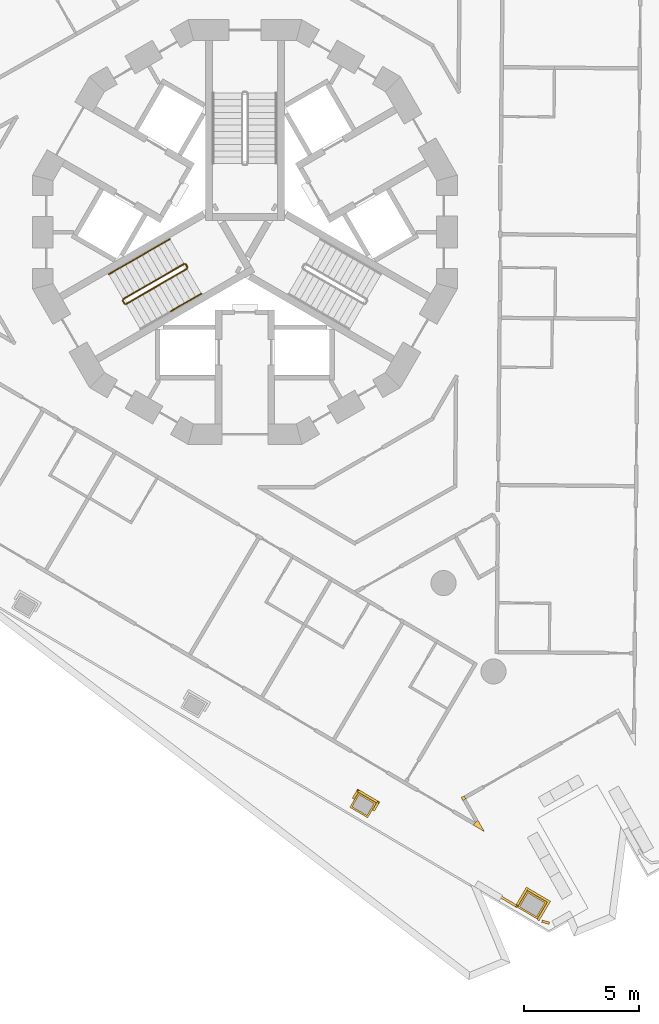
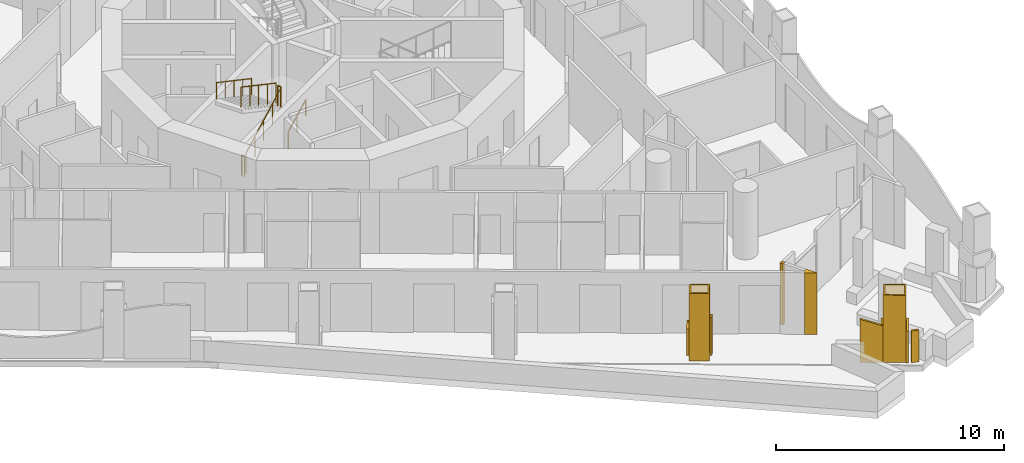
# One storey, part 12 of 18: 10 railings, 4 coverings.
"""IFC4 building model written with IfcOpenShell, lengths in metres."""

from ifc_helpers import new_model, si_unit, direction, frame, origin, origin_2d, place, context, subcontext, project, spatial, polyline, circle, outline, extrude, material, layer, layer_set, type_object, element, save


model = new_model("IFC4")

# Units and contexts
model_context = context("Model", 3, precision=1e-05, world=origin(), true_north=direction((0.0, 1.0)))
body_context = subcontext(model_context, "Body", "Model", "MODEL_VIEW")
ifc_project = project(units=[si_unit("LENGTHUNIT", "METRE"), si_unit("AREAUNIT", "SQUARE_METRE"), si_unit("VOLUMEUNIT", "CUBIC_METRE"), si_unit("PLANEANGLEUNIT", "RADIAN"), si_unit("MASSUNIT", "GRAM", prefix="KILO")], contexts=[model_context])

# Site, building, storey
site_placement = place(None, origin())
site = spatial("IfcSite", under=ifc_project, at=site_placement, CompositionType="ELEMENT")
building_placement = place(site_placement, origin())
building = spatial("IfcBuilding", under=site, at=building_placement, Name="Trine Commons Tower", CompositionType="ELEMENT")
storey_placement = place(building_placement, frame((0.0, 0.0, 161.10009765625)))
storey = spatial("IfcBuildingStorey", under=building, at=storey_placement, Name="L41", CompositionType="ELEMENT", Elevation=161.10009765625)

# Coverings
ifc_material_1 = material(Name="Aluminium-framed insulated wall panel", Category="aluminium")
ifc_layer_1 = layer(ifc_material_1, 0.14990234375)
ifc_layer_set_1 = layer_set([ifc_layer_1], Name="Aluminium-framed insulated wall panel")
covering_type_1 = type_object("IfcCoveringType", Name="Glazing corner post, aluminium", PredefinedType="CLADDING", material=ifc_layer_set_1)
covering_1_placement = place(storey_placement, origin())
element("IfcCovering", 1, at=covering_1_placement, inside=storey, type_object=covering_type_1, Name="Glazing corner post 5-11", PredefinedType="CLADDING", context=body_context, shape_type="SweptSolid", body=[
    extrude(outline(polyline([(89.51416015625, 37.6826171875), (89.644775390625, 37.75634765625), (89.57080078125, 37.886962890625), (89.440185546875, 37.81298828125), (89.51416015625, 37.6826171875)])), origin(), (0.0, 0.0, 1.0), 3.2998046875),
])
covering_2_placement = place(storey_placement, origin())
element("IfcCovering", 2, at=covering_2_placement, inside=storey, type_object=covering_type_1, Name="Glazing corner post 5-12", PredefinedType="CLADDING", context=body_context, shape_type="SweptSolid", body=[
    extrude(outline(polyline([(89.97265625, 36.6083984375), (90.455078125, 36.32421875), (90.179443359375, 36.811279296875), (90.048828125, 36.737548828125), (89.97265625, 36.6083984375)])), origin(), (0.0, 0.0, 1.0), 3.2998046875),
])
ifc_material_2 = material(Name="Limestone, honed", Category="masonry")
ifc_layer_2 = layer(ifc_material_2, 0.074951171875)
ifc_layer_set_2 = layer_set([ifc_layer_2], Name="Limestone, honed")
covering_type_2 = type_object("IfcCoveringType", Name="Limestone column cladding 75", PredefinedType="CLADDING", material=ifc_layer_set_2)
covering_3_placement = place(storey_placement, origin())
element("IfcCovering", 3, at=covering_3_placement, inside=storey, type_object=covering_type_2, Name="Limestone pier cladding 5-01", PredefinedType="CLADDING", context=body_context, shape_type="SweptSolid", body=[
    extrude(outline(polyline([(92.327392578125, 33.753173828125), (91.89599609375, 33.020751953125), (92.757568359375, 32.51318359375), (93.18896484375, 33.24560546875), (92.327392578125, 33.753173828125)]), holes=[polyline([(92.35400390625, 33.650390625), (91.998779296875, 33.047119140625), (92.731201171875, 32.61572265625), (93.086181640625, 33.218994140625), (92.35400390625, 33.650390625)])]), origin(), (0.0, 0.0, 1.0), 3.599853515625),
])
covering_4_placement = place(storey_placement, origin())
element("IfcCovering", 4, at=covering_4_placement, inside=storey, type_object=covering_type_2, Name="Limestone pier cladding 5-02", PredefinedType="CLADDING", context=body_context, shape_type="SweptSolid", body=[
    extrude(outline(polyline([(84.96044921875, 38.03466796875), (84.57958984375, 37.388427734375), (85.355224609375, 36.931640625), (85.73583984375, 37.577880859375), (84.96044921875, 38.03466796875)]), holes=[polyline([(84.987060546875, 37.931884765625), (84.682373046875, 37.414794921875), (85.32861328125, 37.0341796875), (85.63330078125, 37.55126953125), (84.987060546875, 37.931884765625)])]), origin(), (0.0, 0.0, 1.0), 3.599853515625),
])

# Railings
ifc_material_3 = material(Name="Stainless steel balustrade", Category="steel")
railing_type_1 = type_object("IfcRailingType", Name="Stair guard, steel balustrade 1100", PredefinedType="GUARDRAIL", material=ifc_material_3)
railing_1_placement = place(storey_placement, frame((74.80517578125, 59.3564453125, 0.14990234375)))
element("IfcRailing", 5, at=railing_1_placement, inside=storey, type_object=railing_type_1, Name="L41 ST2B stair guard 1", PredefinedType="GUARDRAIL", context=body_context, shape_type="SweptSolid", body=[
    extrude(circle(Radius=0.02392578125, at=origin_2d()), frame((0.0, 0.0, 1.076171875), z_axis=(0.76340495495, 0.440743040072, 0.472184759798), x_axis=(-0.499992328818, 0.866029832698, 0.0)), (0.0, 0.0, 1.0), 3.494140625),
    extrude(circle(Radius=0.02099609375, at=origin_2d()), origin(), (0.0, 0.0, 1.0), 1.052001953125),
    extrude(circle(Radius=0.02099609375, at=origin_2d()), frame((0.6669921875, 0.385009765625, 0.41259765625)), (0.0, 0.0, 1.0), 1.052001953125),
    extrude(circle(Radius=0.02099609375, at=origin_2d()), frame((1.333740234375, 0.77001953125, 0.824951171875)), (0.0, 0.0, 1.0), 1.052001953125),
    extrude(circle(Radius=0.02099609375, at=origin_2d()), frame((2.00048828125, 1.155029296875, 1.2373046875)), (0.0, 0.0, 1.0), 1.052001953125),
    extrude(circle(Radius=0.02099609375, at=origin_2d()), frame((2.66748046875, 1.5400390625, 1.64990234375)), (0.0, 0.0, 1.0), 1.052001953125),
])
railing_2_placement = place(storey_placement, frame((77.490966796875, 60.96484375, 1.7998046875)))
element("IfcRailing", 6, at=railing_2_placement, inside=storey, type_object=railing_type_1, Name="L41 ST2B stair guard 2", PredefinedType="GUARDRAIL", context=body_context, shape_type="SweptSolid", body=[
    extrude(circle(Radius=0.02392578125, at=origin_2d()), frame((0.0, 0.0, 1.076171875), z_axis=(-0.501036270542, 0.865426285481, 0.0), x_axis=(-0.865426285481, -0.501036270542, 0.0)), (0.0, 0.0, 1.0), 0.150146484375),
    extrude(circle(Radius=0.02099609375, at=origin_2d()), origin(), (0.0, 0.0, 1.0), 1.052001953125),
    extrude(circle(Radius=0.02099609375, at=origin_2d()), frame((-0.0751953125, 0.1298828125, 0.0)), (0.0, 0.0, 1.0), 1.052001953125),
])
railing_3_placement = place(storey_placement, frame((77.34765625, 61.113037109375, 1.949951171875)))
element("IfcRailing", 7, at=railing_3_placement, inside=storey, type_object=railing_type_1, Name="L41 ST2B stair guard 3", PredefinedType="GUARDRAIL", context=body_context, shape_type="SweptSolid", body=[
    extrude(circle(Radius=0.02392578125, at=origin_2d()), frame((0.0, 0.0, 1.076171875), z_axis=(-0.76340495495, -0.440743040072, 0.472184759798), x_axis=(0.499992328818, -0.866029832698, 0.0)), (0.0, 0.0, 1.0), 3.494140625),
    extrude(circle(Radius=0.02099609375, at=origin_2d()), origin(), (0.0, 0.0, 1.0), 1.052001953125),
    extrude(circle(Radius=0.02099609375, at=origin_2d()), frame((-0.6669921875, -0.385009765625, 0.41259765625)), (0.0, 0.0, 1.0), 1.052001953125),
    extrude(circle(Radius=0.02099609375, at=origin_2d()), frame((-1.333740234375, -0.77001953125, 0.824951171875)), (0.0, 0.0, 1.0), 1.052001953125),
    extrude(circle(Radius=0.02099609375, at=origin_2d()), frame((-2.00048828125, -1.155029296875, 1.2373046875)), (0.0, 0.0, 1.0), 1.052001953125),
    extrude(circle(Radius=0.02099609375, at=origin_2d()), frame((-2.66748046875, -1.5400390625, 1.64990234375)), (0.0, 0.0, 1.0), 1.052001953125),
])
railing_4_placement = place(storey_placement, frame((74.73681640625, 59.374755859375, 0.0)))
element("IfcRailing", 8, at=railing_4_placement, inside=storey, type_object=railing_type_1, Name="L41 ST2B stair guard 4", PredefinedType="GUARDRAIL", context=body_context, shape_type="SweptSolid", body=[
    extrude(circle(Radius=0.02392578125, at=origin_2d()), frame((0.0, 0.0, 1.076171875), z_axis=(-0.499816412211, 0.866131372301, 0.0), x_axis=(-0.866131372301, -0.499816412211, 0.0)), (0.0, 0.0, 1.0), 0.14990234375),
    extrude(circle(Radius=0.02099609375, at=origin_2d()), origin(), (0.0, 0.0, 1.0), 1.052001953125),
    extrude(circle(Radius=0.02099609375, at=origin_2d()), frame((-0.074951171875, 0.1298828125, 0.0)), (0.0, 0.0, 1.0), 1.052001953125),
])
ifc_material_4 = material(Name="Stainless steel handrail", Category="steel")
railing_type_2 = type_object("IfcRailingType", Name="Stair handrail, steel 900", PredefinedType="HANDRAIL", material=ifc_material_4)
railing_5_placement = place(storey_placement, frame((76.763916015625, 59.0439453125, 0.974853515625)))
element("IfcRailing", 9, at=railing_5_placement, inside=storey, type_object=railing_type_2, Name="L41 ST2B stair handrail 2", PredefinedType="HANDRAIL", context=body_context, shape_type="SweptSolid", body=[
    extrude(circle(Radius=0.02099609375, at=origin_2d()), frame((0.0, 0.0, 0.87890625), z_axis=(0.76340495495, 0.440743040072, 0.472184759798), x_axis=(-0.499992328818, 0.866029832698, 0.0)), (0.0, 0.0, 1.0), 1.7470703125),
    extrude(circle(Radius=0.01513671875, at=origin_2d()), origin(), (0.0, 0.0, 1.0), 0.85791015625),
    extrude(circle(Radius=0.01513671875, at=origin_2d()), frame((0.6669921875, 0.385009765625, 0.41259765625)), (0.0, 0.0, 1.0), 0.85791015625),
    extrude(circle(Radius=0.01513671875, at=origin_2d()), frame((1.333740234375, 0.77001953125, 0.824951171875)), (0.0, 0.0, 1.0), 0.85791015625),
])
for number, where, name in (
    (10, (76.72265625, 62.195556640625, 1.949951171875), "L41 ST2B stair handrail 3"),
    (11, (75.388916015625, 61.425537109375, 2.77490234375), "L41 ST2B stair handrail 4"),
):
    element("IfcRailing", number, at=place(storey_placement, frame(where)), inside=storey, type_object=railing_type_2, Name=name, PredefinedType="HANDRAIL", context=body_context, shape_type="SweptSolid", body=[
        extrude(circle(Radius=0.02099609375, at=origin_2d()), frame((0.0, 0.0, 0.87890625), z_axis=(-0.76340495495, -0.440743040072, 0.472184759798), x_axis=(0.499992328818, -0.866029832698, 0.0)), (0.0, 0.0, 1.0), 1.7470703125),
        extrude(circle(Radius=0.01513671875, at=origin_2d()), origin(), (0.0, 0.0, 1.0), 0.85791015625),
        extrude(circle(Radius=0.01513671875, at=origin_2d()), frame((-0.6669921875, -0.385009765625, 0.41259765625)), (0.0, 0.0, 1.0), 0.85791015625),
        extrude(circle(Radius=0.01513671875, at=origin_2d()), frame((-1.333740234375, -0.77001953125, 0.824951171875)), (0.0, 0.0, 1.0), 0.85791015625),
    ])
ifc_material_5 = material(Name="White powder-coated aluminium", Category="aluminium")
ifc_layer_3 = layer(ifc_material_5, 0.10009765625)
ifc_layer_set_3 = layer_set([ifc_layer_3], Name="White powder-coated aluminium")
railing_type_3 = type_object("IfcRailingType", Name="White balustrade band 100", PredefinedType="GUARDRAIL", material=ifc_layer_set_3)
railing_6_placement = place(storey_placement, origin())
element("IfcRailing", 12, at=railing_6_placement, inside=storey, type_object=railing_type_3, Name="Guard band L41", PredefinedType="GUARDRAIL", context=body_context, shape_type="SweptSolid", body=[
    extrude(outline(polyline([(0.0, 0.0), (0.4658203125, 0.0), (0.4658203125, 1.87548828125), (0.4658203125, 1.87548828125), (0.0, 2.039794921875), (0.0, 0.0)])), frame((85.564208984375, 37.266845703125, 0.0), z_axis=(0.861718544557, -0.50738658828, 0.0), x_axis=(0.50738658828, 0.861718544557, 0.0)), (0.0, 0.0, 1.0), 0.10009765625),
    extrude(outline(polyline([(0.0, 0.0), (1.121337890625, 0.0), (1.121337890625, 1.537353515625), (0.560791015625, 1.71728515625), (0.0, 1.910888671875), (0.0, 0.0)])), frame((85.836181640625, 37.5302734375, 0.0), z_axis=(0.507467218282, 0.861671063904, 0.0), x_axis=(-0.861671063904, 0.507467218282, 0.0)), (0.0, 0.0, 1.0), 0.10009765625),
    extrude(outline(polyline([(0.0, 0.0), (0.465576171875, 0.0), (0.4658203125, 1.431884765625), (0.0, 1.568603515625), (0.0, 0.0)])), frame((85.008056640625, 38.135009765625, 0.0), z_axis=(-0.861583512807, 0.507615849298, 0.0), x_axis=(-0.507615849298, -0.861583512807, 0.0)), (0.0, 0.0, 1.0), 0.10009765625),
])
railing_7_placement = place(storey_placement, origin())
element("IfcRailing", 13, at=railing_7_placement, inside=storey, type_object=railing_type_3, Name="Guard band L41 20", PredefinedType="GUARDRAIL", context=body_context, shape_type="SweptSolid", body=[
    extrude(outline(polyline([(0.0, 0.0), (0.332763671875, 0.0), (0.33251953125, 1.699951171875), (0.0, 1.699951171875), (0.0, 0.0)])), frame((93.27490234375, 32.27880859375, 0.0), z_axis=(0.267151736038, 0.963654476424, 0.0), x_axis=(-0.963654476424, 0.267151736038, 0.0)), (0.0, 0.0, 1.0), 0.10009765625),
])
railing_8_placement = place(storey_placement, origin())
element("IfcRailing", 14, at=railing_8_placement, inside=storey, type_object=railing_type_3, Name="Guard band L41 21", PredefinedType="GUARDRAIL", context=body_context, shape_type="SweptSolid", body=[
    extrude(outline(polyline([(0.0, 0.0), (0.98681640625, 0.0), (0.98681640625, 1.699951171875), (0.493408203125, 1.699951171875), (0.0, 1.699951171875), (0.0, 0.0)])), frame((92.7529296875, 32.48583984375, 0.0), z_axis=(0.861526866106, -0.507711984276, 0.0), x_axis=(0.507711984276, 0.861526866106, 0.0)), (0.0, 0.0, 1.0), 0.10009765625),
    extrude(outline(polyline([(0.0, 0.0), (1.221435546875, 0.0), (1.221435546875, 1.699951171875), (0.610595703125, 1.699951171875), (0.0, 1.699951171875), (0.0, 0.0)])), frame((93.289306640625, 33.197998046875, 0.0), z_axis=(0.507483003325, 0.861661767363, 0.0), x_axis=(-0.861661767363, 0.507483003325, 0.0)), (0.0, 0.0, 1.0), 0.10009765625),
    extrude(outline(polyline([(0.0, 0.0), (0.986328125, 0.0), (0.986572265625, 2.0029296875), (0.4931640625, 1.82958984375), (0.0, 1.699951171875), (0.0, 0.0)])), frame((92.375, 33.853271484375, 0.0), z_axis=(-0.861571323956, 0.507636537039, 0.0), x_axis=(-0.507636537039, -0.861571323956, 0.0)), (0.0, 0.0, 1.0), 0.10009765625),
    extrude(outline(polyline([(0.0, 0.0), (1.0029296875, 0.0), (1.0029296875, 2.311767578125), (0.76025390625, 2.2333984375), (0.0, 1.967041015625), (0.0, 0.0)])), frame((91.875244140625, 33.00390625, 0.0), z_axis=(0.50760517964, 0.86158979892, 0.0), x_axis=(-0.86158979892, 0.50760517964, 0.0)), (0.0, 0.0, 1.0), 0.10009765625),
])

save(model, "model.ifc")
